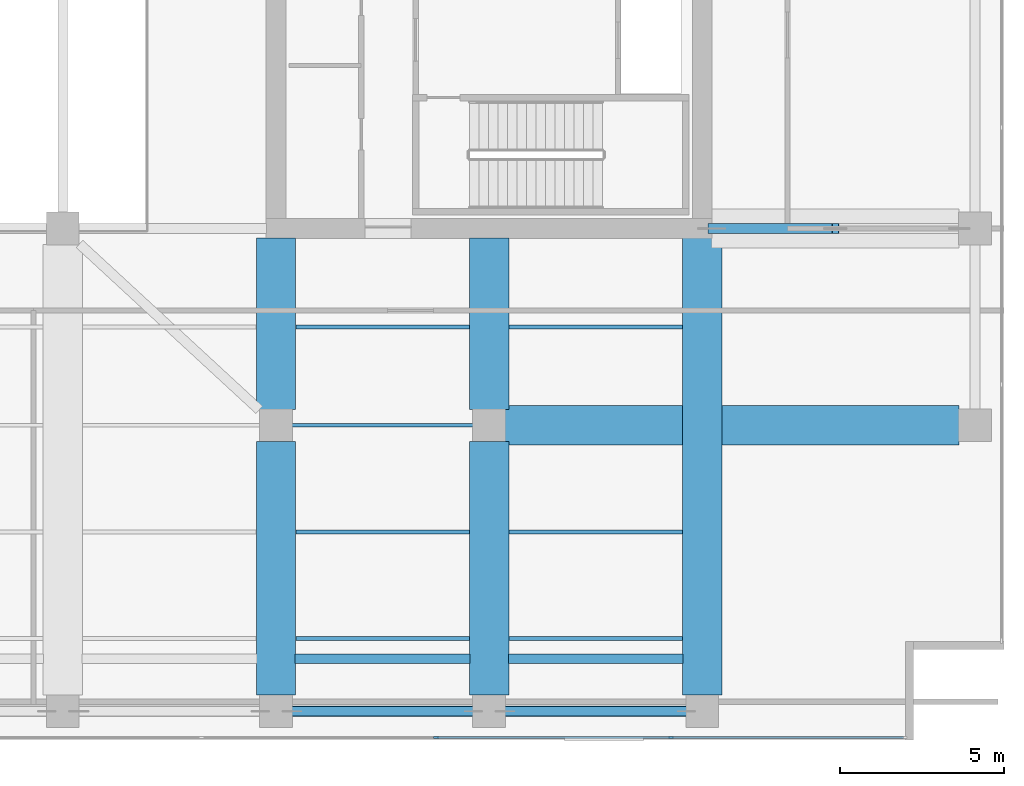
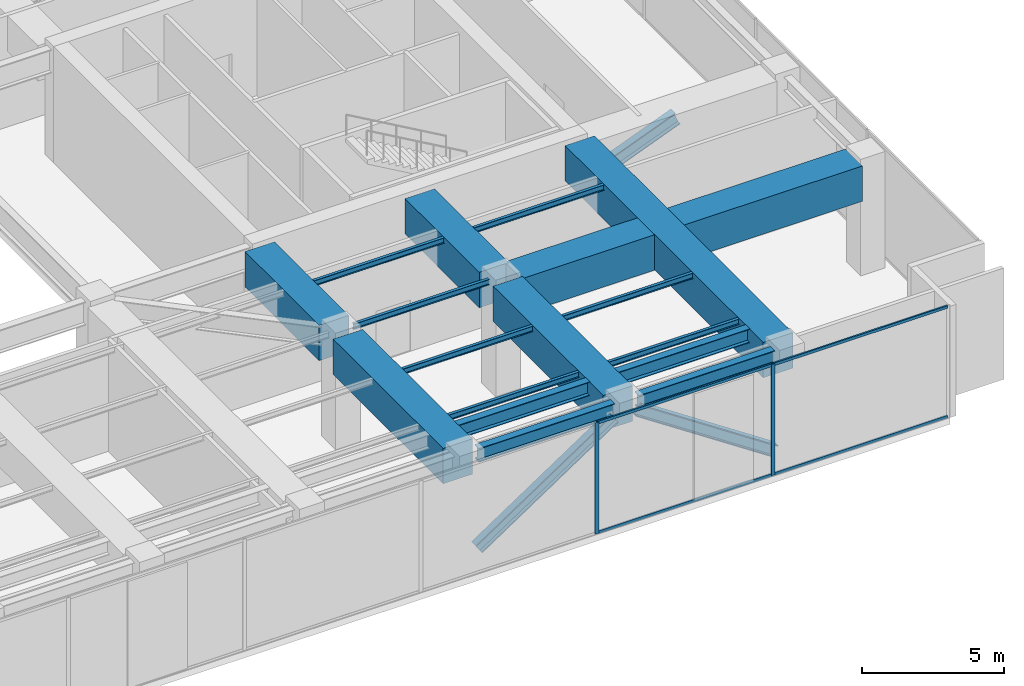
# One storey, part 6 of 28: 17 beams, 9 members, 1 element without a shape of its own.
"""IFC4 building model written with IfcOpenShell, lengths in metres."""

from ifc_helpers import new_model, si_unit, direction, frame, origin, origin_2d, place, context, subcontext, project, spatial, rectangle, i_section, extrude, material, layer, layer_set, material_profile, profile_set, type_object, element, aggregate, save


model = new_model("IFC4")

# Units and contexts
model_context = context("Model", 3, precision=1e-05, world=origin(), true_north=direction((0.0, 1.0)))
body_context = subcontext(model_context, "Body", "Model", "MODEL_VIEW")
ifc_project = project(units=[si_unit("LENGTHUNIT", "METRE"), si_unit("AREAUNIT", "SQUARE_METRE"), si_unit("VOLUMEUNIT", "CUBIC_METRE"), si_unit("PLANEANGLEUNIT", "RADIAN"), si_unit("MASSUNIT", "GRAM", prefix="KILO")], contexts=[model_context])

# Site, building, storey
site_placement = place(None, origin())
site = spatial("IfcSite", under=ifc_project, at=site_placement, CompositionType="ELEMENT")
building_placement = place(site_placement, origin())
building = spatial("IfcBuilding", under=site, at=building_placement, Name="Putna Gate Headquarters", CompositionType="ELEMENT")
storey_placement = place(building_placement, frame((0.0, 0.0, 197.39990234375)))
storey = spatial("IfcBuildingStorey", under=building, at=storey_placement, Name="L49", CompositionType="ELEMENT", Elevation=197.39990234375)

# Beams
ifc_material_1 = material(Name="Steel S355J2", Category="steel")
ifc_material_profile_1 = material_profile(ifc_material_1, i_section(OverallWidth=0.1201171875, OverallDepth=0.239990234375, WebThickness=0.006103515625, FlangeThickness=0.009765625, at=origin_2d()), Name="Steel S355J2")
ifc_profile_set_1 = profile_set([ifc_material_profile_1], Name="Steel S355J2")
beam_type_1 = type_object("IfcBeamType", Name="BM-SEC-Z4-IPE240", PredefinedType="JOIST", material=ifc_profile_set_1)
for number, where, z_axis, x_axis, name in (
    (1, (52.60400390625, 6.5, 4.66015625), (1.0, 0.0, 0.0), (0.0, 1.0, 0.0), "L49 South Secondary Beam 7"),
    (2, (52.60400390625, 9.75, 4.66015625), (1.0, 0.0, 0.0), (0.0, 1.0, 0.0), "L49 South Secondary Beam 7"),
):
    element("IfcBeam", number, at=place(storey_placement, frame(where, z_axis=z_axis, x_axis=x_axis)), inside=storey, type_object=beam_type_1, Name=name, PredefinedType="JOIST", context=body_context, shape_type="SweptSolid", body=[
        extrude(i_section(OverallWidth=0.1201171875, OverallDepth=0.239990234375, WebThickness=0.006103515625, FlangeThickness=0.009765625, at=origin_2d()), origin(), (0.0, 0.0, 1.0), 5.2919921875),
    ])
beam_1_placement = place(storey_placement, frame((52.488037109375, 13.0, 4.66015625), z_axis=(1.0, 0.0, 0.0), x_axis=(0.0, 1.0, 0.0)))
element("IfcBeam", 3, at=beam_1_placement, inside=storey, type_object=beam_type_1, Name="L49 South Secondary Beam 7", PredefinedType="JOIST", context=body_context, shape_type="SweptSolid", body=[
    extrude(i_section(OverallWidth=0.1201171875, OverallDepth=0.239990234375, WebThickness=0.006103515625, FlangeThickness=0.009765625, at=origin_2d()), origin(), (0.0, 0.0, 1.0), 5.52392578125),
])
for number, where, z_axis, x_axis, name in (
    (4, (52.60400390625, 16.0, 4.66015625), (1.0, 0.0, 0.0), (0.0, 1.0, 0.0), "L49 South Secondary Beam 7"),
    (5, (59.10400390625, 6.5, 4.66015625), (1.0, 0.0, 0.0), (0.0, 1.0, 0.0), "L49 South Secondary Beam 8"),
    (6, (59.10400390625, 9.75, 4.66015625), (1.0, 0.0, 0.0), (0.0, 1.0, 0.0), "L49 South Secondary Beam 8"),
    (7, (59.10400390625, 16.0, 4.66015625), (1.0, 0.0, 0.0), (0.0, 1.0, 0.0), "L49 South Secondary Beam 8"),
):
    element("IfcBeam", number, at=place(storey_placement, frame(where, z_axis=z_axis, x_axis=x_axis)), inside=storey, type_object=beam_type_1, Name=name, PredefinedType="JOIST", context=body_context, shape_type="SweptSolid", body=[
        extrude(i_section(OverallWidth=0.1201171875, OverallDepth=0.239990234375, WebThickness=0.006103515625, FlangeThickness=0.009765625, at=origin_2d()), origin(), (0.0, 0.0, 1.0), 5.2919921875),
    ])
ifc_material_profile_2 = material_profile(ifc_material_1, i_section(OverallWidth=0.300048828125, OverallDepth=0.590087890625, WebThickness=0.012939453125, FlangeThickness=0.02490234375, at=origin_2d()), Name="Steel S355J2")
ifc_profile_set_2 = profile_set([ifc_material_profile_2], Name="Steel S355J2")
beam_type_2 = type_object("IfcBeamType", Name="BM-SPAN-Z4-HEA600", PredefinedType="SPANDREL", material=ifc_profile_set_2)
for number, where, z_axis, x_axis, name in (
    (8, (52.488037109375, 4.280029296875, 4.485107421875), (1.0, 0.0, 0.0), (0.0, 1.0, 0.0), "L49 S Perimeter Spandrel 7"),
    (9, (58.988037109375, 4.280029296875, 4.485107421875), (1.0, 0.0, 0.0), (0.0, 1.0, 0.0), "L49 S Perimeter Spandrel 8"),
):
    element("IfcBeam", number, at=place(storey_placement, frame(where, z_axis=z_axis, x_axis=x_axis)), inside=storey, type_object=beam_type_2, Name=name, PredefinedType="SPANDREL", context=body_context, shape_type="SweptSolid", body=[
        extrude(i_section(OverallWidth=0.300048828125, OverallDepth=0.590087890625, WebThickness=0.012939453125, FlangeThickness=0.02490234375, at=origin_2d()), origin(), (0.0, 0.0, 1.0), 5.52392578125),
    ])
for number, where, z_axis, x_axis, name in (
    (10, (52.5849609375, 5.8798828125, 4.485107421875), (1.0, 0.0, 0.0), (0.0, 1.0, 0.0), "L49 Setback Edge Beam S7"),
    (11, (59.0849609375, 5.8798828125, 4.485107421875), (1.0, 0.0, 0.0), (0.0, 1.0, 0.0), "L49 Setback Edge Beam S8"),
):
    element("IfcBeam", number, at=place(storey_placement, frame(where, z_axis=z_axis, x_axis=x_axis)), inside=storey, type_object=beam_type_2, Name=name, PredefinedType="SPANDREL", context=body_context, shape_type="SweptSolid", body=[
        extrude(i_section(OverallWidth=0.300048828125, OverallDepth=0.590087890625, WebThickness=0.012939453125, FlangeThickness=0.02490234375, at=origin_2d()), origin(), (0.0, 0.0, 1.0), 5.330078125),
    ])
ifc_material_2 = material(Name="Concrete C50/60", Category="concrete")
ifc_material_profile_3 = material_profile(ifc_material_2, rectangle(XDim=1.199951171875, YDim=1.52001953125, at=origin_2d()), Name="Concrete C50/60")
ifc_profile_set_3 = profile_set([ifc_material_profile_3], Name="Concrete C50/60")
beam_type_3 = type_object("IfcBeamType", Name="BM-TG-RC1520", PredefinedType="USERDEFINED", material=ifc_profile_set_3)
beam_2_placement = place(storey_placement, frame((58.988037109375, 13.0, 4.02001953125), z_axis=(1.0, 0.0, 0.0), x_axis=(0.0, 1.0, 0.0)))
element("IfcBeam", 12, at=beam_2_placement, inside=storey, type_object=beam_type_3, Name="L49 East Wing Girder Y13", ObjectType="GIRDER", PredefinedType="USERDEFINED", context=body_context, shape_type="SweptSolid", body=[
    extrude(rectangle(XDim=1.199951171875, YDim=1.52001953125, at=origin_2d()), origin(), (0.0, 0.0, 1.0), 13.843994140625),
])
beam_3_placement = place(storey_placement, frame((52.0, 4.76806640625, 4.02001953125), z_axis=(0.0, 1.0, 0.0), x_axis=(-1.0, 0.0, 0.0)))
element("IfcBeam", 13, at=beam_3_placement, inside=storey, type_object=beam_type_3, Name="L49 South Primary Girder X52-1", ObjectType="GIRDER", PredefinedType="USERDEFINED", context=body_context, shape_type="SweptSolid", body=[
    extrude(rectangle(XDim=1.199951171875, YDim=1.52001953125, at=origin_2d()), origin(), (0.0, 0.0, 1.0), 7.743896484375),
])
beam_4_placement = place(storey_placement, frame((52.0, 13.488037109375, 4.02001953125), z_axis=(0.0, 1.0, 0.0), x_axis=(-1.0, 0.0, 0.0)))
element("IfcBeam", 14, at=beam_4_placement, inside=storey, type_object=beam_type_3, Name="L49 South Primary Girder X52-2", ObjectType="GIRDER", PredefinedType="USERDEFINED", context=body_context, shape_type="SweptSolid", body=[
    extrude(rectangle(XDim=1.199951171875, YDim=1.52001953125, at=origin_2d()), origin(), (0.0, 0.0, 1.0), 5.22705078125),
])
beam_5_placement = place(storey_placement, frame((58.5, 4.76806640625, 4.02001953125), z_axis=(0.0, 1.0, 0.0), x_axis=(-1.0, 0.0, 0.0)))
element("IfcBeam", 15, at=beam_5_placement, inside=storey, type_object=beam_type_3, Name="L49 South Primary Girder X58-1", ObjectType="GIRDER", PredefinedType="USERDEFINED", context=body_context, shape_type="SweptSolid", body=[
    extrude(rectangle(XDim=1.199951171875, YDim=1.52001953125, at=origin_2d()), origin(), (0.0, 0.0, 1.0), 7.743896484375),
])
beam_6_placement = place(storey_placement, frame((58.5, 13.488037109375, 4.02001953125), z_axis=(0.0, 1.0, 0.0), x_axis=(-1.0, 0.0, 0.0)))
element("IfcBeam", 16, at=beam_6_placement, inside=storey, type_object=beam_type_3, Name="L49 South Primary Girder X58-2", ObjectType="GIRDER", PredefinedType="USERDEFINED", context=body_context, shape_type="SweptSolid", body=[
    extrude(rectangle(XDim=1.199951171875, YDim=1.52001953125, at=origin_2d()), origin(), (0.0, 0.0, 1.0), 5.22705078125),
])
beam_7_placement = place(storey_placement, frame((65.0, 4.76806640625, 4.02001953125), z_axis=(0.0, 1.0, 0.0), x_axis=(-1.0, 0.0, 0.0)))
element("IfcBeam", 17, at=beam_7_placement, inside=storey, type_object=beam_type_3, Name="L49 South Primary Girder X65", ObjectType="GIRDER", PredefinedType="USERDEFINED", context=body_context, shape_type="SweptSolid", body=[
    extrude(rectangle(XDim=1.199951171875, YDim=1.52001953125, at=origin_2d()), origin(), (0.0, 0.0, 1.0), 13.947021484375),
])

# Members
ifc_material_3 = material(Name="Steel S460M", Category="steel")
ifc_material_profile_4 = material_profile(ifc_material_3, i_section(OverallWidth=0.306884765625, OverallDepth=0.47802734375, WebThickness=0.02099609375, FlangeThickness=0.0400390625, at=origin_2d()), Name="Steel S460M")
ifc_profile_set_4 = profile_set([ifc_material_profile_4], Name="Steel S460M")
member_type_1 = type_object("IfcMemberType", Name="MEM-BELT-DIAG-HEM450", PredefinedType="BRACE", material=ifc_profile_set_4)
for number, where, z_axis, x_axis, name in (
    (18, (52.485107421875, 4.280029296875, 0.4501953125), (0.832508038541, 0.0, 0.554012965339), (0.0, 1.0, 0.0), "L49 Belt Truss Diagonal S7"),
    (19, (58.985107421875, 4.280029296875, 4.130126953125), (0.832508038541, 0.0, -0.554012965339), (0.0, 1.0, 0.0), "L49 Belt Truss Diagonal S8"),
):
    element("IfcMember", number, at=place(storey_placement, frame(where, z_axis=z_axis, x_axis=x_axis)), inside=storey, type_object=member_type_1, Name=name, PredefinedType="BRACE", context=body_context, shape_type="SweptSolid", body=[
        extrude(i_section(OverallWidth=0.306884765625, OverallDepth=0.47802734375, WebThickness=0.02099609375, FlangeThickness=0.0400390625, at=origin_2d()), origin(), (0.0, 0.0, 1.0), 6.642333984375),
    ])
ifc_material_profile_5 = material_profile(ifc_material_3, i_section(OverallWidth=0.305908203125, OverallDepth=0.572021484375, WebThickness=0.02099609375, FlangeThickness=0.0400390625, at=origin_2d()), Name="Steel S460M")
ifc_profile_set_5 = profile_set([ifc_material_profile_5], Name="Steel S460M")
member_type_2 = type_object("IfcMemberType", Name="MEM-OUTRIGGER-DIAG-HEM550", PredefinedType="BRACE", material=ifc_profile_set_5)
member_1_placement = place(storey_placement, frame((65.284912109375, 19.0, 2.75), z_axis=(0.931012516557, 0.0, 0.364987251851), x_axis=(0.0, 1.0, 0.0)))
element("IfcMember", 20, at=member_1_placement, inside=storey, type_object=member_type_2, Name="L49 Outrigger Truss Brace ES-1", PredefinedType="BRACE", context=body_context, shape_type="SweptSolid", body=[
    extrude(i_section(OverallWidth=0.305908203125, OverallDepth=0.572021484375, WebThickness=0.02099609375, FlangeThickness=0.0400390625, at=origin_2d()), origin(), (0.0, 0.0, 1.0), 4.054931640625),
])

# Curtain wall, members
ifc_material_4 = material(Name="Anodised bronze aluminium curtain wall", Category="aluminium")
ifc_layer = layer(ifc_material_4, 0.159912109375)
ifc_layer_set = layer_set([ifc_layer], Name="Anodised bronze aluminium curtain wall")
curtain_wall_type = type_object("IfcCurtainWallType", Name="CW-SYS-CRN", PredefinedType="USERDEFINED", material=ifc_layer_set)
curtain_wall_placement = place(storey_placement, origin())
curtain_wall = element("IfcCurtainWall", 21, at=curtain_wall_placement, inside=storey, type_object=curtain_wall_type, Name="L49 Acoustic Louvre South Enclosure", ObjectType="STICK CURTAIN WALL", PredefinedType="USERDEFINED")
ifc_material_5 = material(Name="Anodised bronze aluminium EN AW-6060", Category="aluminium")
ifc_material_profile_6 = material_profile(ifc_material_5, rectangle(XDim=0.06494140625, YDim=0.159912109375, at=origin_2d()), Name="Anodised bronze aluminium EN AW-6060")
ifc_profile_set_6 = profile_set([ifc_material_profile_6], Name="Anodised bronze aluminium EN AW-6060")
member_type_3 = type_object("IfcMemberType", Name="MULL-CWM-CR", PredefinedType="MULLION", material=ifc_profile_set_6)
member_2_placement = place(storey_placement, frame((56.888916015625, 3.47998046875, 0.0), z_axis=(0.0, 0.0, 1.0), x_axis=(0.0, 1.0, 0.0)))
member_2 = element("IfcMember", 22, at=member_2_placement, type_object=member_type_3, Name="CWS-CR mullion 8", PredefinedType="MULLION", context=body_context, shape_type="SweptSolid", body=[
    extrude(rectangle(XDim=0.06494140625, YDim=0.159912109375, at=origin_2d()), origin(), (0.0, 0.0, 1.0), 4.780029296875),
])
member_3_placement = place(storey_placement, frame((64.04443359375, 3.47998046875, 0.0), z_axis=(0.0, 0.0, 1.0), x_axis=(0.0, 1.0, 0.0)))
member_3 = element("IfcMember", 23, at=member_3_placement, type_object=member_type_3, Name="CWS-CR mullion 9", PredefinedType="MULLION", context=body_context, shape_type="SweptSolid", body=[
    extrude(rectangle(XDim=0.06494140625, YDim=0.159912109375, at=origin_2d()), origin(), (0.0, 0.0, 1.0), 4.780029296875),
])
ifc_material_profile_7 = material_profile(ifc_material_5, rectangle(XDim=0.06494140625, YDim=0.1201171875, at=origin_2d()), Name="Anodised bronze aluminium EN AW-6060")
ifc_profile_set_7 = profile_set([ifc_material_profile_7], Name="Anodised bronze aluminium EN AW-6060")
member_type_4 = type_object("IfcMemberType", Name="TRAN-CWT-CR", PredefinedType="USERDEFINED", material=ifc_profile_set_7)
member_4_placement = place(storey_placement, frame((56.92138671875, 3.47998046875, 0.03271484375), z_axis=(1.0, 0.0, 0.0), x_axis=(0.0, 1.0, 0.0)))
member_4 = element("IfcMember", 24, at=member_4_placement, type_object=member_type_4, Name="CWS-CR transom 8.1", ObjectType="TRANSOM", PredefinedType="USERDEFINED", context=body_context, shape_type="SweptSolid", body=[
    extrude(rectangle(XDim=0.06494140625, YDim=0.1201171875, at=origin_2d()), origin(), (0.0, 0.0, 1.0), 7.090576171875),
])
member_5_placement = place(storey_placement, frame((56.92138671875, 3.47998046875, 4.74755859375), z_axis=(1.0, 0.0, 0.0), x_axis=(0.0, 1.0, 0.0)))
member_5 = element("IfcMember", 25, at=member_5_placement, type_object=member_type_4, Name="CWS-CR transom 8.2", ObjectType="TRANSOM", PredefinedType="USERDEFINED", context=body_context, shape_type="SweptSolid", body=[
    extrude(rectangle(XDim=0.06494140625, YDim=0.1201171875, at=origin_2d()), origin(), (0.0, 0.0, 1.0), 7.090576171875),
])
member_6_placement = place(storey_placement, frame((64.076904296875, 3.47998046875, 0.03271484375), z_axis=(1.0, 0.0, 0.0), x_axis=(0.0, 1.0, 0.0)))
member_6 = element("IfcMember", 26, at=member_6_placement, type_object=member_type_4, Name="CWS-CR transom 9.1", ObjectType="TRANSOM", PredefinedType="USERDEFINED", context=body_context, shape_type="SweptSolid", body=[
    extrude(rectangle(XDim=0.06494140625, YDim=0.1201171875, at=origin_2d()), origin(), (0.0, 0.0, 1.0), 7.05810546875),
])
member_7_placement = place(storey_placement, frame((64.076904296875, 3.47998046875, 4.74755859375), z_axis=(1.0, 0.0, 0.0), x_axis=(0.0, 1.0, 0.0)))
member_7 = element("IfcMember", 27, at=member_7_placement, type_object=member_type_4, Name="CWS-CR transom 9.2", ObjectType="TRANSOM", PredefinedType="USERDEFINED", context=body_context, shape_type="SweptSolid", body=[
    extrude(rectangle(XDim=0.06494140625, YDim=0.1201171875, at=origin_2d()), origin(), (0.0, 0.0, 1.0), 7.05810546875),
])
aggregate(curtain_wall, [member_2, member_3, member_4, member_5, member_6, member_7])

save(model, "model.ifc")
